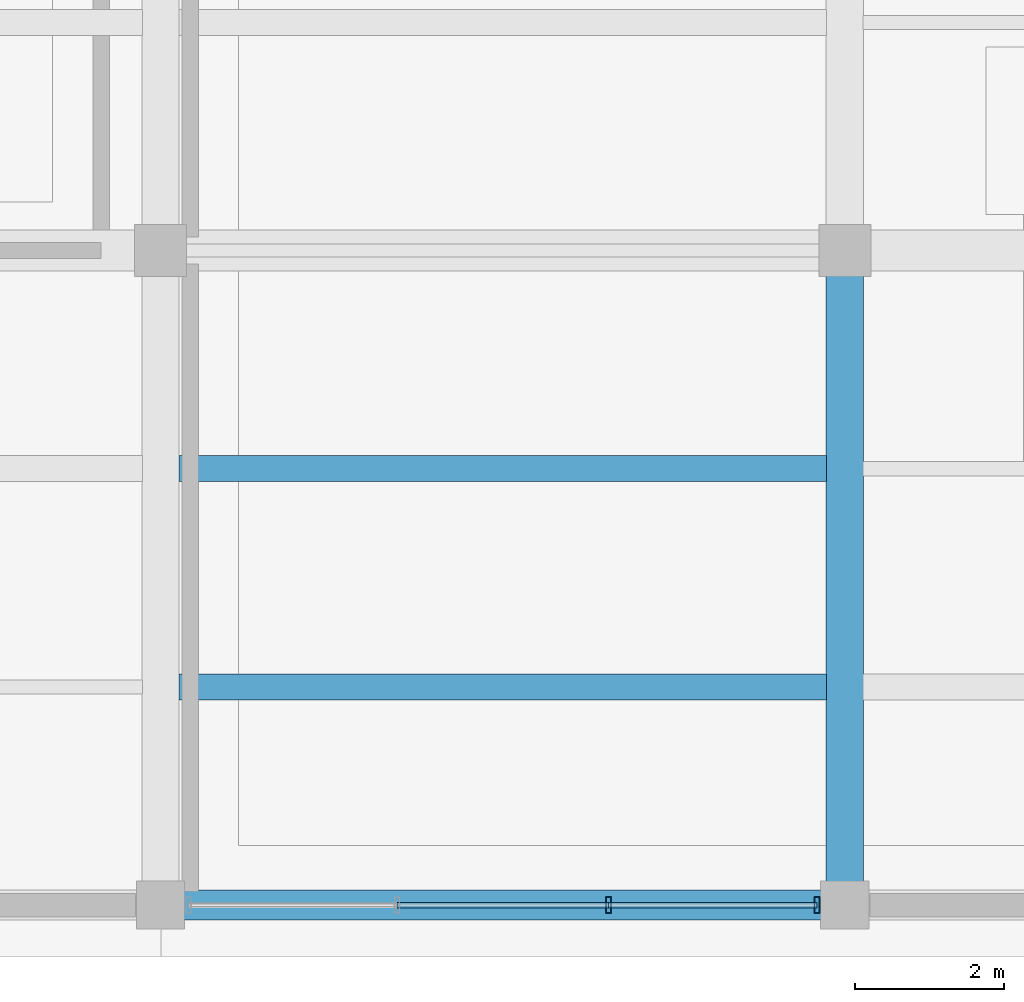
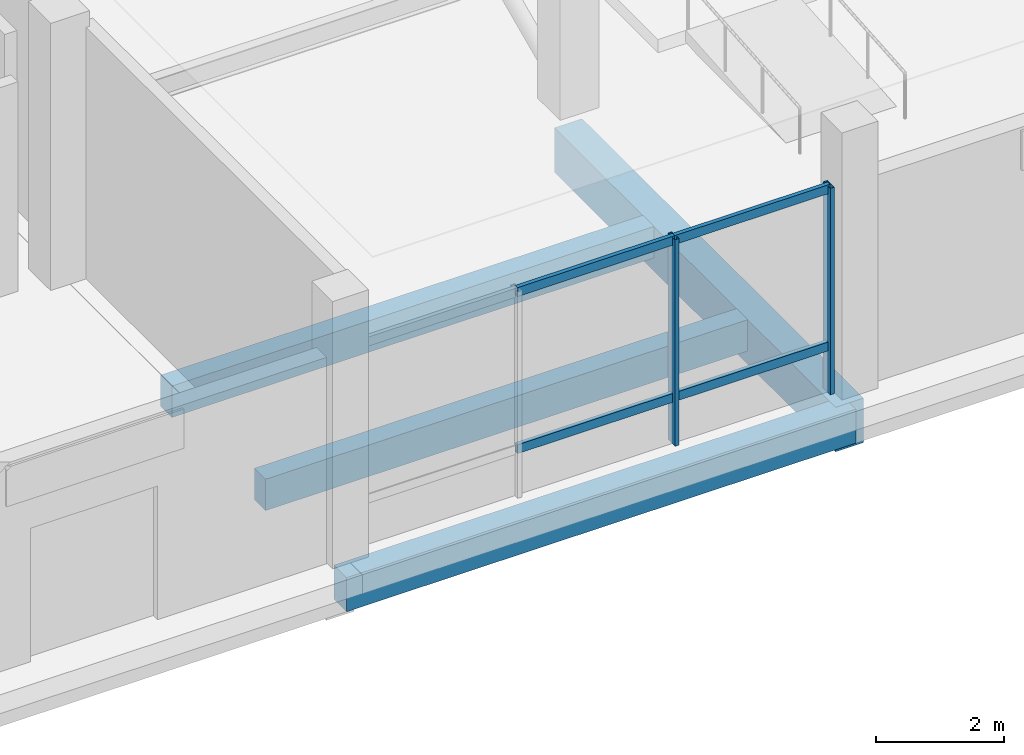
# One storey, part 9 of 73: 6 members, 4 beams, 1 element without a shape of its own.
"""IFC4 building model written with IfcOpenShell, lengths in metres."""

from ifc_helpers import new_model, si_unit, direction, frame, origin, origin_2d, place, context, subcontext, project, spatial, rectangle, hollow_rectangle, extrude, material, layer, layer_set, material_profile, profile_set, type_object, element, aggregate, save


model = new_model("IFC4")

# Units and contexts
model_context = context("Model", 3, precision=1e-05, world=origin(), true_north=direction((0.0, 1.0)))
body_context = subcontext(model_context, "Body", "Model", "MODEL_VIEW")
ifc_project = project(units=[si_unit("LENGTHUNIT", "METRE"), si_unit("AREAUNIT", "SQUARE_METRE"), si_unit("VOLUMEUNIT", "CUBIC_METRE"), si_unit("PLANEANGLEUNIT", "RADIAN"), si_unit("MASSUNIT", "GRAM", prefix="KILO")], contexts=[model_context])

# Site, building, storey
site_placement = place(None, origin())
site = spatial("IfcSite", under=ifc_project, at=site_placement, CompositionType="ELEMENT")
building_placement = place(site_placement, origin())
building = spatial("IfcBuilding", under=site, at=building_placement, Name="Meriwether Solvik Hall", CompositionType="ELEMENT")
storey_placement = place(building_placement, origin())
storey = spatial("IfcBuildingStorey", under=building, at=storey_placement, Name="L00", CompositionType="ELEMENT", Elevation=0.0)

# Beams
ifc_material_1 = material(Name="Concrete C40/50", Category="concrete")
ifc_material_profile_1 = material_profile(ifc_material_1, rectangle(XDim=0.35009765625, YDim=0.60009765625, at=origin_2d()), Name="RCB-350X600")
ifc_profile_set_1 = profile_set([ifc_material_profile_1], Name="Concrete C40/50")
beam_type_1 = type_object("IfcBeamType", Name="BM-RC-350X600", PredefinedType="JOIST", material=ifc_profile_set_1)
for number, where, z_axis, x_axis, name in (
    (1, (59.64501953125, 8.13330078125, -0.659912109375), (1.0, 0.0, 0.0), (0.0, 1.0, 0.0), "Secondary Floor Joist 7/A_J1 (L00)"),
    (2, (59.64501953125, 11.066650390625, -0.659912109375), (1.0, 0.0, 0.0), (0.0, 1.0, 0.0), "Secondary Floor Joist 7/A_J2 (L00)"),
):
    element("IfcBeam", number, at=place(storey_placement, frame(where, z_axis=z_axis, x_axis=x_axis)), inside=storey, type_object=beam_type_1, Name=name, PredefinedType="JOIST", context=body_context, shape_type="SweptSolid", body=[
        extrude(rectangle(XDim=0.35009765625, YDim=0.60009765625, at=origin_2d()), origin(), (0.0, 0.0, 1.0), 8.7099609375),
    ])
ifc_material_2 = material(Name="Concrete C40/50", Category="concrete")
ifc_material_profile_2 = material_profile(ifc_material_2, rectangle(XDim=0.39990234375, YDim=0.64990234375, at=origin_2d()), Name="RCB-400X650")
ifc_profile_set_2 = profile_set([ifc_material_profile_2], Name="Concrete C40/50")
beam_type_2 = type_object("IfcBeamType", Name="BM-RC-400X650", PredefinedType="SPANDREL", material=ifc_profile_set_2)
beam_1_placement = place(storey_placement, frame((59.39990234375, 5.199951171875, -0.68505859375), z_axis=(1.0, 0.0, 0.0), x_axis=(0.0, 1.0, 0.0)))
element("IfcBeam", 3, at=beam_1_placement, inside=storey, type_object=beam_type_2, Name="Podium Girder A:7-8 (L00)", PredefinedType="SPANDREL", context=body_context, shape_type="SweptSolid", body=[
    extrude(rectangle(XDim=0.39990234375, YDim=0.64990234375, at=origin_2d()), origin(), (0.0, 0.0, 1.0), 9.2001953125),
])
ifc_material_3 = material(Name="Concrete C40/50", Category="concrete")
ifc_material_profile_3 = material_profile(ifc_material_3, rectangle(XDim=0.5, YDim=0.85009765625, at=origin_2d()), Name="RCB-500X850")
ifc_profile_set_3 = profile_set([ifc_material_profile_3], Name="Concrete C40/50")
beam_type_3 = type_object("IfcBeamType", Name="BM-RC-500X850", PredefinedType="BEAM", material=ifc_profile_set_3)
beam_2_placement = place(storey_placement, frame((68.60009765625, 5.199951171875, -0.784912109375), z_axis=(0.0, 1.0, 0.0), x_axis=(-1.0, 0.0, 0.0)))
element("IfcBeam", 4, at=beam_2_placement, inside=storey, type_object=beam_type_3, Name="Podium Girder 8:A-B (L00)", PredefinedType="BEAM", context=body_context, shape_type="SweptSolid", body=[
    extrude(rectangle(XDim=0.5, YDim=0.85009765625, at=origin_2d()), origin(), (0.0, 0.0, 1.0), 8.800048828125),
])

# Curtain wall, members
ifc_material_4 = material(Name="Thermally Broken Anodised Aluminium 6063-T6 and Low-E Glass", Category="aluminium")
ifc_layer = layer(ifc_material_4, 0.179931640625)
ifc_layer_set = layer_set([ifc_layer], Name="Thermally Broken Anodised Aluminium 6063-T6 and Low-E Glass")
curtain_wall_type = type_object("IfcCurtainWallType", Name="CW-SF-POD-A", PredefinedType="USERDEFINED", material=ifc_layer_set)
curtain_wall_placement = place(storey_placement, origin())
curtain_wall = element("IfcCurtainWall", 5, at=curtain_wall_placement, inside=storey, type_object=curtain_wall_type, Name="Curtain Wall wing_XA_7_6 (L00)", ObjectType="STICK STOREFRONT GLAZING", PredefinedType="USERDEFINED")
ifc_material_5 = material(Name="Anodised Aluminium 6063-T6", Category="aluminium")
ifc_material_profile_4 = material_profile(ifc_material_5, hollow_rectangle(XDim=0.074951171875, YDim=0.219970703125, WallThickness=0.005615234375, at=origin_2d()), Name="CWM-75X220")
ifc_profile_set_4 = profile_set([ifc_material_profile_4], Name="Anodised Aluminium 6063-T6")
member_type_1 = type_object("IfcMemberType", Name="CW-MUL-75X220", PredefinedType="MULLION", material=ifc_profile_set_4)
member_1_placement = place(storey_placement, frame((68.22509765625, 5.199951171875, 0.0), z_axis=(0.0, 0.0, 1.0), x_axis=(-1.0, 0.0, 0.0)))
member_1 = element("IfcMember", 6, at=member_1_placement, type_object=member_type_1, Name="Curtain Wall Mullion 1", PredefinedType="MULLION", context=body_context, shape_type="SweptSolid", body=[
    extrude(hollow_rectangle(XDim=0.074951171875, YDim=0.219970703125, WallThickness=0.005615234375, at=origin_2d()), origin(), (0.0, 0.0, 1.0), 3.93994140625),
])
member_2_placement = place(storey_placement, frame((65.4208984375, 5.199951171875, 0.0), z_axis=(0.0, 0.0, 1.0), x_axis=(-1.0, 0.0, 0.0)))
member_2 = element("IfcMember", 7, at=member_2_placement, type_object=member_type_1, Name="Curtain Wall Mullion 2", PredefinedType="MULLION", context=body_context, shape_type="SweptSolid", body=[
    extrude(hollow_rectangle(XDim=0.074951171875, YDim=0.219970703125, WallThickness=0.005615234375, at=origin_2d()), origin(), (0.0, 0.0, 1.0), 3.93994140625),
])
ifc_material_6 = material(Name="Anodised Aluminium 6063-T6", Category="aluminium")
ifc_material_profile_5 = material_profile(ifc_material_6, hollow_rectangle(XDim=0.074951171875, YDim=0.169921875, WallThickness=0.005615234375, at=origin_2d()), Name="CWT-75X170")
ifc_profile_set_5 = profile_set([ifc_material_profile_5], Name="Anodised Aluminium 6063-T6")
member_type_2 = type_object("IfcMemberType", Name="CW-TRN-75X170", PredefinedType="USERDEFINED", material=ifc_profile_set_5)
member_3_placement = place(storey_placement, frame((68.22509765625, 5.199951171875, 0.8798828125), z_axis=(-1.0, 0.0, 0.0), x_axis=(0.0, -1.0, 0.0)))
member_3 = element("IfcMember", 8, at=member_3_placement, type_object=member_type_2, Name="Curtain Wall Transom 1-sill", ObjectType="TRANSOM", PredefinedType="USERDEFINED", context=body_context, shape_type="SweptSolid", body=[
    extrude(hollow_rectangle(XDim=0.074951171875, YDim=0.169921875, WallThickness=0.005615234375, at=origin_2d()), origin(), (0.0, 0.0, 1.0), 2.80419921875),
])
member_4_placement = place(storey_placement, frame((68.22509765625, 5.199951171875, 3.8798828125), z_axis=(-1.0, 0.0, 0.0), x_axis=(0.0, -1.0, 0.0)))
member_4 = element("IfcMember", 9, at=member_4_placement, type_object=member_type_2, Name="Curtain Wall Transom 1-head", ObjectType="TRANSOM", PredefinedType="USERDEFINED", context=body_context, shape_type="SweptSolid", body=[
    extrude(hollow_rectangle(XDim=0.074951171875, YDim=0.169921875, WallThickness=0.005615234375, at=origin_2d()), origin(), (0.0, 0.0, 1.0), 2.80419921875),
])
member_5_placement = place(storey_placement, frame((65.4208984375, 5.199951171875, 0.8798828125), z_axis=(-1.0, 0.0, 0.0), x_axis=(0.0, -1.0, 0.0)))
member_5 = element("IfcMember", 10, at=member_5_placement, type_object=member_type_2, Name="Curtain Wall Transom 2-sill", ObjectType="TRANSOM", PredefinedType="USERDEFINED", context=body_context, shape_type="SweptSolid", body=[
    extrude(hollow_rectangle(XDim=0.074951171875, YDim=0.169921875, WallThickness=0.005615234375, at=origin_2d()), origin(), (0.0, 0.0, 1.0), 2.841796875),
])
member_6_placement = place(storey_placement, frame((65.4208984375, 5.199951171875, 3.8798828125), z_axis=(-1.0, 0.0, 0.0), x_axis=(0.0, -1.0, 0.0)))
member_6 = element("IfcMember", 11, at=member_6_placement, type_object=member_type_2, Name="Curtain Wall Transom 2-head", ObjectType="TRANSOM", PredefinedType="USERDEFINED", context=body_context, shape_type="SweptSolid", body=[
    extrude(hollow_rectangle(XDim=0.074951171875, YDim=0.169921875, WallThickness=0.005615234375, at=origin_2d()), origin(), (0.0, 0.0, 1.0), 2.841796875),
])
aggregate(curtain_wall, [member_1, member_2, member_3, member_4, member_5, member_6])

save(model, "model.ifc")
